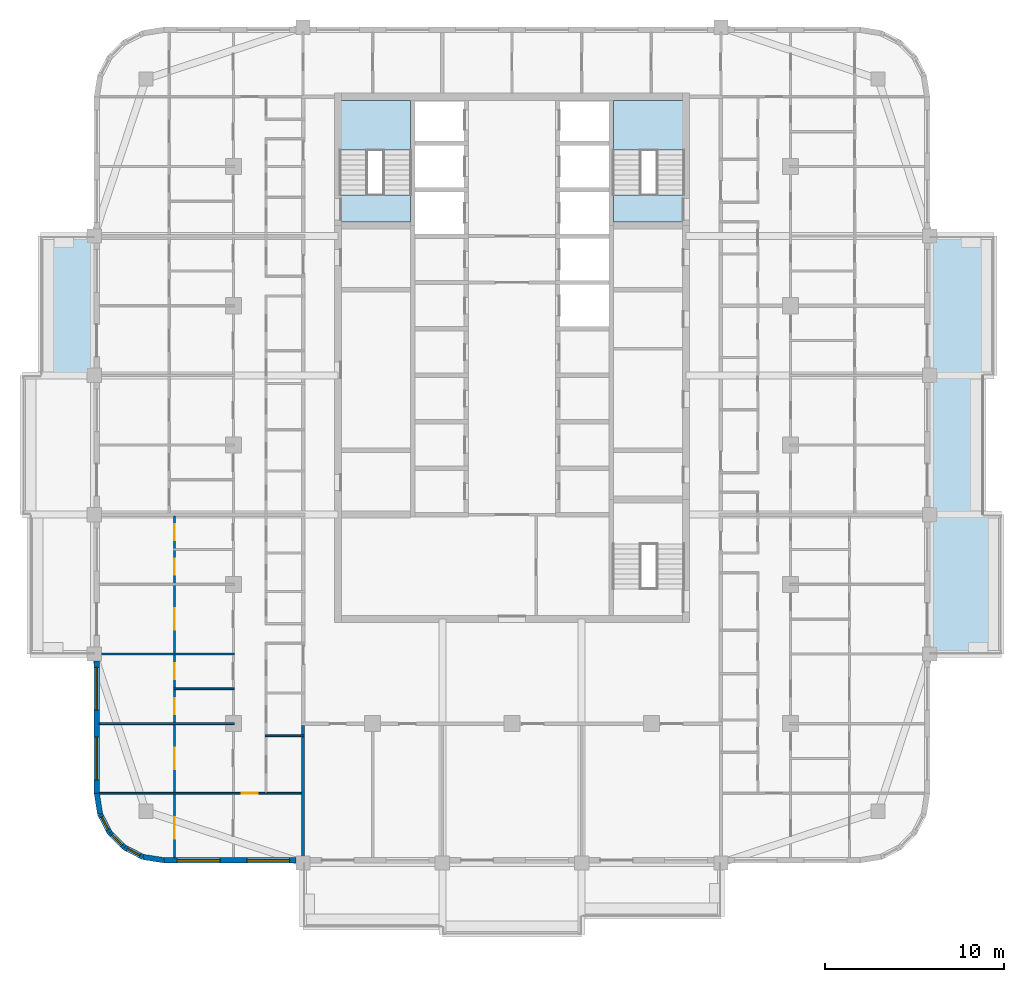
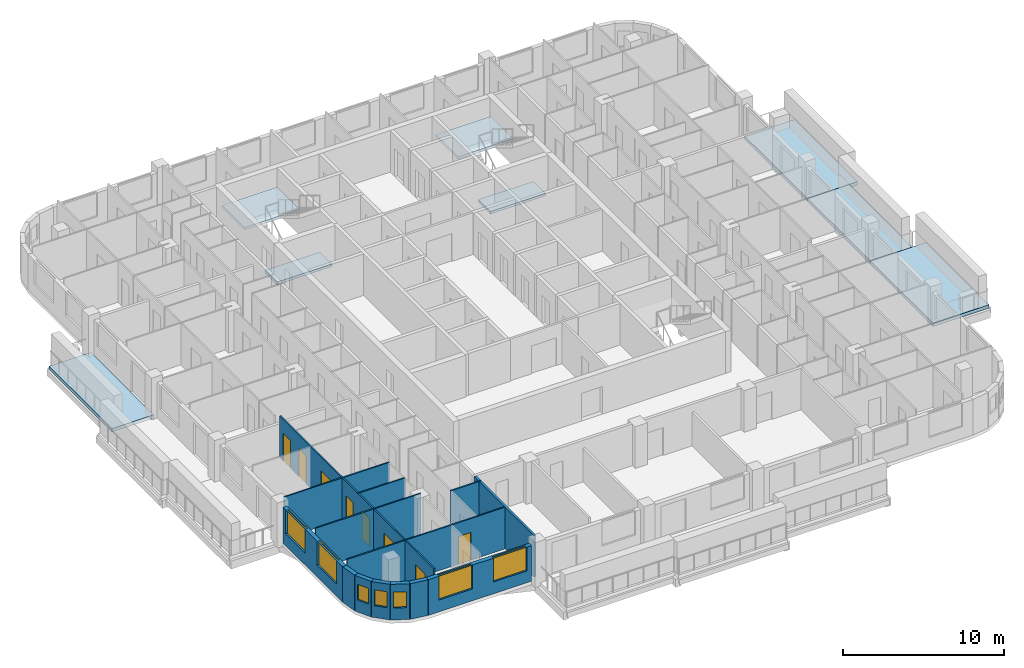
# One storey, part 2 of 16: 14 walls, 8 doors, 8 slabs, 7 windows, 15 openings, 2 elements without a shape of their own.
"""IFC4 building model written with IfcOpenShell, lengths in metres."""

from ifc_helpers import new_model, si_unit, direction, frame, frame_2d, origin, place, context, subcontext, project, spatial, polyline, rectangle, outline, extrude, material, layer, layer_set, type_object, element, fill, aggregate, save


model = new_model("IFC4")

# Units and contexts
model_context = context("Model", 3, precision=1e-05, world=origin(), true_north=direction((0.0, 1.0)))
body_context = subcontext(model_context, "Body", "Model", "MODEL_VIEW")
ifc_project = project(units=[si_unit("LENGTHUNIT", "METRE"), si_unit("AREAUNIT", "SQUARE_METRE"), si_unit("VOLUMEUNIT", "CUBIC_METRE"), si_unit("PLANEANGLEUNIT", "RADIAN"), si_unit("MASSUNIT", "GRAM", prefix="KILO")], contexts=[model_context])

# Site, building, storey
site_placement = place(None, origin())
site = spatial("IfcSite", under=ifc_project, at=site_placement, CompositionType="ELEMENT")
building_placement = place(site_placement, origin())
building = spatial("IfcBuilding", under=site, at=building_placement, Name="Ludao Terraces", CompositionType="ELEMENT")
storey_placement = place(building_placement, frame((0.0, 0.0, 207.5)))
storey = spatial("IfcBuildingStorey", under=building, at=storey_placement, Name="L56", CompositionType="ELEMENT", Elevation=207.5)

# Slabs
ifc_material_1 = material(Name="Concrete C40", Category="concrete")
ifc_layer_1 = layer(ifc_material_1, 0.25)
ifc_layer_set_1 = layer_set([ifc_layer_1], Name="Balcony slab 250 C40")
slab_type_1 = type_object("IfcSlabType", Name="Balcony slab 250 C40", PredefinedType="USERDEFINED", material=ifc_layer_set_1)
slab_1_placement = place(storey_placement, frame((0.0, 0.0, -0.25)))
element("IfcSlab", 1, at=slab_1_placement, inside=storey, type_object=slab_type_1, Name="Balcony L56 E1", ObjectType="BALCONY", PredefinedType="USERDEFINED", context=body_context, shape_type="SweptSolid", body=[
    extrude(outline(polyline([(108.39990234375, 53.300048828125), (112.39990234375, 53.300048828125), (112.39990234375, 61.10009765625), (108.39990234375, 61.10009765625), (108.39990234375, 53.300048828125)])), origin(), (0.0, 0.0, 1.0), 0.25),
])
slab_2_placement = place(storey_placement, frame((0.0, 0.0, -0.25)))
element("IfcSlab", 2, at=slab_2_placement, inside=storey, type_object=slab_type_1, Name="Balcony L56 E2", ObjectType="BALCONY", PredefinedType="USERDEFINED", context=body_context, shape_type="SweptSolid", body=[
    extrude(outline(polyline([(108.39990234375, 61.10009765625), (111.39990234375, 61.10009765625), (111.39990234375, 68.89990234375), (108.39990234375, 68.89990234375), (108.39990234375, 61.10009765625)])), origin(), (0.0, 0.0, 1.0), 0.25),
])
slab_3_placement = place(storey_placement, frame((0.0, 0.0, -0.25)))
element("IfcSlab", 3, at=slab_3_placement, inside=storey, type_object=slab_type_1, Name="Balcony L56 E3", ObjectType="BALCONY", PredefinedType="USERDEFINED", context=body_context, shape_type="SweptSolid", body=[
    extrude(outline(polyline([(108.39990234375, 68.89990234375), (112.0, 68.89990234375), (112.0, 76.699951171875), (108.39990234375, 76.699951171875), (108.39990234375, 68.89990234375)])), origin(), (0.0, 0.0, 1.0), 0.25),
])
slab_4_placement = place(storey_placement, frame((0.0, 0.0, -0.25)))
element("IfcSlab", 4, at=slab_4_placement, inside=storey, type_object=slab_type_1, Name="Balcony L56 W3", ObjectType="BALCONY", PredefinedType="USERDEFINED", context=body_context, shape_type="SweptSolid", body=[
    extrude(outline(polyline([(58.60009765625, 68.89990234375), (61.60009765625, 68.89990234375), (61.60009765625, 76.699951171875), (58.60009765625, 76.699951171875), (58.60009765625, 68.89990234375)])), origin(), (0.0, 0.0, 1.0), 0.25),
])

# Stair, slabs
stair_type = type_object("IfcStairType", Name="INT Stair", PredefinedType="HALF_TURN_STAIR", material=ifc_material_1)
stair_1_placement = place(storey_placement, origin())
stair_1 = element("IfcStair", 5, at=stair_1_placement, inside=storey, type_object=stair_type, Name="EXIT STAIR 1", PredefinedType="HALF_TURN_STAIR")
ifc_layer_2 = layer(ifc_material_1, 0.199951171875)
ifc_layer_set_2 = layer_set([ifc_layer_2], Name="INT Stair landing 200")
slab_type_2 = type_object("IfcSlabType", Name="INT Stair landing 200", PredefinedType="LANDING", material=ifc_layer_set_2)
slab_5_placement = place(storey_placement, frame((0.0, 0.0, 1.5)))
slab_5 = element("IfcSlab", 6, at=slab_5_placement, type_object=slab_type_2, Name="ST1 landing 1", PredefinedType="LANDING", context=body_context, shape_type="SweptSolid", body=[
    extrude(outline(polyline([(75.375, 81.52001953125), (79.324951171875, 81.52001953125), (79.324951171875, 84.300048828125), (75.375, 84.300048828125), (75.375, 81.52001953125)])), origin(), (0.0, 0.0, 1.0), 0.199951171875),
])
slab_6_placement = place(storey_placement, frame((0.0, 0.0, -0.199951171875)))
slab_6 = element("IfcSlab", 7, at=slab_6_placement, type_object=slab_type_2, Name="ST1 landing 2", PredefinedType="LANDING", context=body_context, shape_type="SweptSolid", body=[
    extrude(outline(polyline([(75.375, 77.5), (79.324951171875, 77.5), (79.324951171875, 79.0), (75.375, 79.0), (75.375, 77.5)])), origin(), (0.0, 0.0, 1.0), 0.199951171875),
])
aggregate(stair_1, [slab_5, slab_6])

stair_2_placement = place(storey_placement, origin())
stair_2 = element("IfcStair", 8, at=stair_2_placement, inside=storey, type_object=stair_type, Name="EXIT STAIR 2", PredefinedType="HALF_TURN_STAIR")
slab_7_placement = place(storey_placement, frame((0.0, 0.0, 1.5)))
slab_7 = element("IfcSlab", 9, at=slab_7_placement, type_object=slab_type_2, Name="ST2 landing 1", PredefinedType="LANDING", context=body_context, shape_type="SweptSolid", body=[
    extrude(outline(polyline([(90.675048828125, 81.52001953125), (94.625, 81.52001953125), (94.625, 84.300048828125), (90.675048828125, 84.300048828125), (90.675048828125, 81.52001953125)])), origin(), (0.0, 0.0, 1.0), 0.199951171875),
])
slab_8_placement = place(storey_placement, frame((0.0, 0.0, -0.199951171875)))
slab_8 = element("IfcSlab", 10, at=slab_8_placement, type_object=slab_type_2, Name="ST2 landing 2", PredefinedType="LANDING", context=body_context, shape_type="SweptSolid", body=[
    extrude(outline(polyline([(90.675048828125, 77.5), (94.625, 77.5), (94.625, 79.0), (90.675048828125, 79.0), (90.675048828125, 77.5)])), origin(), (0.0, 0.0, 1.0), 0.199951171875),
])
aggregate(stair_2, [slab_7, slab_8])

# Wall, openings, windows
ifc_material_2 = material(Name="Granite cladding", Category="masonry")
ifc_layer_3 = layer(ifc_material_2, 0.0400390625, Category="stone")
ifc_material_3 = material(Name="Mineral wool")
ifc_layer_4 = layer(ifc_material_3, 0.06005859375)
ifc_layer_5 = layer(ifc_material_1, 0.199951171875, Category="concrete")
ifc_layer_set_3 = layer_set([ifc_layer_3, ifc_layer_4, ifc_layer_5], Name="ENV Stone-clad wall 300")
wall_type_1 = type_object("IfcWallType", Name="ENV Stone-clad wall 300", PredefinedType="SOLIDWALL", material=ifc_layer_set_3)
wall_1_placement = place(storey_placement, frame((65.5, 41.75, 0.0), z_axis=(0.0, 0.0, 1.0), x_axis=(1.0, 0.0, 0.0)))
wall_1 = element("IfcWall", 11, at=wall_1_placement, inside=storey, type_object=wall_type_1, Name="EW-L56-S1", PredefinedType="SOLIDWALL", context=body_context, shape_type="SweptSolid", body=[
    extrude(rectangle(XDim=7.39990234375, YDim=0.300048828125, at=frame_2d((3.699951171875, 0.0))), origin(), (0.0, 0.0, 1.0), 2.699951171875),
])
opening_1_placement = place(wall_1_placement, frame((0.75, 0.0, 0.89990234375)))
opening_1 = element("IfcOpeningElement", 12, at=opening_1_placement, cuts=wall_1, Name="Opening W1", PredefinedType="OPENING", context=body_context, shape_type="SweptSolid", body=[
    extrude(rectangle(XDim=2.39990234375, YDim=1.800048828125, at=frame_2d((1.199951171875, 0.89990234375))), frame((0.0, 0.16015625, 0.0), z_axis=(0.0, -1.0, 0.0), x_axis=(1.0, 0.0, 0.0)), (0.0, 0.0, 1.0), 0.320068359375),
])
opening_2_placement = place(wall_1_placement, frame((4.64990234375, 0.0, 0.89990234375)))
opening_2 = element("IfcOpeningElement", 13, at=opening_2_placement, cuts=wall_1, Name="Opening W1", PredefinedType="OPENING", context=body_context, shape_type="SweptSolid", body=[
    extrude(rectangle(XDim=2.39990234375, YDim=1.800048828125, at=frame_2d((1.199951171875, 0.89990234375))), frame((0.0, 0.16015625, 0.0), z_axis=(0.0, -1.0, 0.0), x_axis=(1.0, 0.0, 0.0)), (0.0, 0.0, 1.0), 0.320068359375),
])
ifc_material_4 = material(Name="Clear glass in aluminium frame", Category="aluminium")
ifc_layer_6 = layer(ifc_material_4, 0.06005859375)
ifc_layer_set_4 = layer_set([ifc_layer_6], Name="ENV Window W1 2400x1800")
window_type_1 = type_object("IfcWindowType", Name="ENV Window W1 2400x1800", PartitioningType="DOUBLE_PANEL_VERTICAL", PredefinedType="WINDOW", material=ifc_layer_set_4)
window_1_placement = place(opening_1_placement, origin())
window_1 = element("IfcWindow", 14, at=window_1_placement, inside=storey, type_object=window_type_1, Name="W-L56-S1-1", OverallHeight=1.800048828125, OverallWidth=2.39990234375, PartitioningType="DOUBLE_PANEL_VERTICAL", PredefinedType="WINDOW", context=body_context, shape_type="SweptSolid", body=[
    extrude(rectangle(XDim=2.39990234375, YDim=1.800048828125, at=frame_2d((1.199951171875, 0.89990234375))), frame((0.0, 0.030029296875, 0.0), z_axis=(0.0, -1.0, 0.0), x_axis=(1.0, 0.0, 0.0)), (0.0, 0.0, 1.0), 0.06005859375),
])
fill(opening_1, window_1)
window_2_placement = place(opening_2_placement, origin())
window_2 = element("IfcWindow", 15, at=window_2_placement, inside=storey, type_object=window_type_1, Name="W-L56-S1-2", OverallHeight=1.800048828125, OverallWidth=2.39990234375, PartitioningType="DOUBLE_PANEL_VERTICAL", PredefinedType="WINDOW", context=body_context, shape_type="SweptSolid", body=[
    extrude(rectangle(XDim=2.39990234375, YDim=1.800048828125, at=frame_2d((1.199951171875, 0.89990234375))), frame((0.0, 0.030029296875, 0.0), z_axis=(0.0, -1.0, 0.0), x_axis=(1.0, 0.0, 0.0)), (0.0, 0.0, 1.0), 0.06005859375),
])
fill(opening_2, window_2)

wall_2_placement = place(storey_placement, frame((61.75, 45.5, 0.0), z_axis=(0.0, 0.0, 1.0), x_axis=(0.0, 1.0, 0.0)))
wall_2 = element("IfcWall", 16, at=wall_2_placement, inside=storey, type_object=wall_type_1, Name="EW-L56-W1", PredefinedType="SOLIDWALL", context=body_context, shape_type="SweptSolid", body=[
    extrude(rectangle(XDim=7.39990234375, YDim=0.300048828125, at=frame_2d((3.699951171875, 0.0))), origin(), (0.0, 0.0, 1.0), 2.699951171875),
])
opening_3_placement = place(wall_2_placement, frame((0.75, 0.0, 0.89990234375)))
opening_3 = element("IfcOpeningElement", 17, at=opening_3_placement, cuts=wall_2, Name="Opening W1", PredefinedType="OPENING", context=body_context, shape_type="SweptSolid", body=[
    extrude(rectangle(XDim=2.39990234375, YDim=1.800048828125, at=frame_2d((1.199951171875, 0.89990234375))), frame((0.0, 0.16015625, 0.0), z_axis=(0.0, -1.0, 0.0), x_axis=(1.0, 0.0, 0.0)), (0.0, 0.0, 1.0), 0.320068359375),
])
opening_4_placement = place(wall_2_placement, frame((4.64990234375, 0.0, 0.89990234375)))
opening_4 = element("IfcOpeningElement", 18, at=opening_4_placement, cuts=wall_2, Name="Opening W1", PredefinedType="OPENING", context=body_context, shape_type="SweptSolid", body=[
    extrude(rectangle(XDim=2.39990234375, YDim=1.800048828125, at=frame_2d((1.199951171875, 0.89990234375))), frame((0.0, 0.16015625, 0.0), z_axis=(0.0, -1.0, 0.0), x_axis=(1.0, 0.0, 0.0)), (0.0, 0.0, 1.0), 0.320068359375),
])
window_3_placement = place(opening_3_placement, origin())
window_3 = element("IfcWindow", 19, at=window_3_placement, inside=storey, type_object=window_type_1, Name="W-L56-W1-1", OverallHeight=1.800048828125, OverallWidth=2.39990234375, PartitioningType="DOUBLE_PANEL_VERTICAL", PredefinedType="WINDOW", context=body_context, shape_type="SweptSolid", body=[
    extrude(rectangle(XDim=2.39990234375, YDim=1.800048828125, at=frame_2d((1.199951171875, 0.89990234375))), frame((0.0, 0.030029296875, 0.0), z_axis=(0.0, -1.0, 0.0), x_axis=(1.0, 0.0, 0.0)), (0.0, 0.0, 1.0), 0.06005859375),
])
fill(opening_3, window_3)
window_4_placement = place(opening_4_placement, origin())
window_4 = element("IfcWindow", 20, at=window_4_placement, inside=storey, type_object=window_type_1, Name="W-L56-W1-2", OverallHeight=1.800048828125, OverallWidth=2.39990234375, PartitioningType="DOUBLE_PANEL_VERTICAL", PredefinedType="WINDOW", context=body_context, shape_type="SweptSolid", body=[
    extrude(rectangle(XDim=2.39990234375, YDim=1.800048828125, at=frame_2d((1.199951171875, 0.89990234375))), frame((0.0, 0.030029296875, 0.0), z_axis=(0.0, -1.0, 0.0), x_axis=(1.0, 0.0, 0.0)), (0.0, 0.0, 1.0), 0.06005859375),
])
fill(opening_4, window_4)

# Wall
wall_3_placement = place(storey_placement, frame((61.75, 45.5, 0.0), z_axis=(0.0, 0.0, 1.0), x_axis=(0.156496880861, -0.987678452879, 0.0)))
element("IfcWall", 21, at=wall_3_placement, inside=storey, type_object=wall_type_1, Name="EW-L56-SW1", PredefinedType="SOLIDWALL", context=body_context, shape_type="SweptSolid", body=[
    extrude(rectangle(XDim=1.173095703125, YDim=0.300048828125, at=frame_2d((0.58642578125, 0.0))), origin(), (0.0, 0.0, 1.0), 2.699951171875),
])

# Wall, opening, window
wall_4_placement = place(storey_placement, frame((61.93359375, 44.34130859375, 0.0), z_axis=(0.0, 0.0, 1.0), x_axis=(0.454025524128, -0.890988677504, 0.0)))
wall_4 = element("IfcWall", 22, at=wall_4_placement, inside=storey, type_object=wall_type_1, Name="EW-L56-SW2", PredefinedType="SOLIDWALL", context=body_context, shape_type="SweptSolid", body=[
    extrude(rectangle(XDim=1.17333984375, YDim=0.300048828125, at=frame_2d((0.586669921875, 0.0))), origin(), (0.0, 0.0, 1.0), 2.699951171875),
])
opening_5_placement = place(wall_4_placement, frame((0.1865234375, 0.0, 0.89990234375)))
opening_5 = element("IfcOpeningElement", 23, at=opening_5_placement, cuts=wall_4, Name="Opening W3", PredefinedType="OPENING", context=body_context, shape_type="SweptSolid", body=[
    extrude(rectangle(XDim=0.800048828125, YDim=1.199951171875, at=frame_2d((0.39990234375, 0.60009765625))), frame((0.0, 0.16015625, 0.0), z_axis=(0.0, -1.0, 0.0), x_axis=(1.0, 0.0, 0.0)), (0.0, 0.0, 1.0), 0.320068359375),
])
ifc_layer_7 = layer(ifc_material_4, 0.06005859375)
ifc_layer_set_5 = layer_set([ifc_layer_7], Name="ENV Window W3 800x1200")
window_type_2 = type_object("IfcWindowType", Name="ENV Window W3 800x1200", PartitioningType="SINGLE_PANEL", PredefinedType="WINDOW", material=ifc_layer_set_5)
window_5_placement = place(opening_5_placement, origin())
window_5 = element("IfcWindow", 24, at=window_5_placement, inside=storey, type_object=window_type_2, Name="W-L56-SW2", OverallHeight=1.199951171875, OverallWidth=0.800048828125, PartitioningType="SINGLE_PANEL", PredefinedType="WINDOW", context=body_context, shape_type="SweptSolid", body=[
    extrude(rectangle(XDim=0.800048828125, YDim=1.199951171875, at=frame_2d((0.39990234375, 0.60009765625))), frame((0.0, 0.030029296875, 0.0), z_axis=(0.0, -1.0, 0.0), x_axis=(1.0, 0.0, 0.0)), (0.0, 0.0, 1.0), 0.06005859375),
])
fill(opening_5, window_5)

wall_5_placement = place(storey_placement, frame((62.46630859375, 43.2958984375, 0.0), z_axis=(0.0, 0.0, 1.0), x_axis=(0.707106781187, -0.707106781187, 0.0)))
wall_5 = element("IfcWall", 25, at=wall_5_placement, inside=storey, type_object=wall_type_1, Name="EW-L56-SW3", PredefinedType="SOLIDWALL", context=body_context, shape_type="SweptSolid", body=[
    extrude(rectangle(XDim=1.173095703125, YDim=0.300048828125, at=frame_2d((0.58642578125, 0.0))), origin(), (0.0, 0.0, 1.0), 2.699951171875),
])
opening_6_placement = place(wall_5_placement, frame((0.1865234375, 0.0, 0.89990234375)))
opening_6 = element("IfcOpeningElement", 26, at=opening_6_placement, cuts=wall_5, Name="Opening W3", PredefinedType="OPENING", context=body_context, shape_type="SweptSolid", body=[
    extrude(rectangle(XDim=0.800048828125, YDim=1.199951171875, at=frame_2d((0.39990234375, 0.60009765625))), frame((0.0, 0.16015625, 0.0), z_axis=(0.0, -1.0, 0.0), x_axis=(1.0, 0.0, 0.0)), (0.0, 0.0, 1.0), 0.320068359375),
])
window_6_placement = place(opening_6_placement, origin())
window_6 = element("IfcWindow", 27, at=window_6_placement, inside=storey, type_object=window_type_2, Name="W-L56-SW3", OverallHeight=1.199951171875, OverallWidth=0.800048828125, PartitioningType="SINGLE_PANEL", PredefinedType="WINDOW", context=body_context, shape_type="SweptSolid", body=[
    extrude(rectangle(XDim=0.800048828125, YDim=1.199951171875, at=frame_2d((0.39990234375, 0.60009765625))), frame((0.0, 0.030029296875, 0.0), z_axis=(0.0, -1.0, 0.0), x_axis=(1.0, 0.0, 0.0)), (0.0, 0.0, 1.0), 0.06005859375),
])
fill(opening_6, window_6)

wall_6_placement = place(storey_placement, frame((63.2958984375, 42.46630859375, 0.0), z_axis=(0.0, 0.0, 1.0), x_axis=(0.890988677504, -0.454025524128, 0.0)))
wall_6 = element("IfcWall", 28, at=wall_6_placement, inside=storey, type_object=wall_type_1, Name="EW-L56-SW4", PredefinedType="SOLIDWALL", context=body_context, shape_type="SweptSolid", body=[
    extrude(rectangle(XDim=1.17333984375, YDim=0.300048828125, at=frame_2d((0.586669921875, 0.0))), origin(), (0.0, 0.0, 1.0), 2.699951171875),
])
opening_7_placement = place(wall_6_placement, frame((0.1865234375, 0.0, 0.89990234375)))
opening_7 = element("IfcOpeningElement", 29, at=opening_7_placement, cuts=wall_6, Name="Opening W3", PredefinedType="OPENING", context=body_context, shape_type="SweptSolid", body=[
    extrude(rectangle(XDim=0.800048828125, YDim=1.199951171875, at=frame_2d((0.39990234375, 0.60009765625))), frame((0.0, 0.16015625, 0.0), z_axis=(0.0, -1.0, 0.0), x_axis=(1.0, 0.0, 0.0)), (0.0, 0.0, 1.0), 0.320068359375),
])
window_7_placement = place(opening_7_placement, origin())
window_7 = element("IfcWindow", 30, at=window_7_placement, inside=storey, type_object=window_type_2, Name="W-L56-SW4", OverallHeight=1.199951171875, OverallWidth=0.800048828125, PartitioningType="SINGLE_PANEL", PredefinedType="WINDOW", context=body_context, shape_type="SweptSolid", body=[
    extrude(rectangle(XDim=0.800048828125, YDim=1.199951171875, at=frame_2d((0.39990234375, 0.60009765625))), frame((0.0, 0.030029296875, 0.0), z_axis=(0.0, -1.0, 0.0), x_axis=(1.0, 0.0, 0.0)), (0.0, 0.0, 1.0), 0.06005859375),
])
fill(opening_7, window_7)

# Wall
wall_7_placement = place(storey_placement, frame((64.34130859375, 41.93359375, 0.0), z_axis=(0.0, 0.0, 1.0), x_axis=(0.987678452879, -0.156496880861, 0.0)))
element("IfcWall", 31, at=wall_7_placement, inside=storey, type_object=wall_type_1, Name="EW-L56-SW5", PredefinedType="SOLIDWALL", context=body_context, shape_type="SweptSolid", body=[
    extrude(rectangle(XDim=1.173095703125, YDim=0.300048828125, at=frame_2d((0.58642578125, 0.0))), origin(), (0.0, 0.0, 1.0), 2.699951171875),
])

# Wall, opening, door
ifc_material_5 = material(Name="Gypsum plasterboard", Category="gypsum")
ifc_layer_8 = layer(ifc_material_5, 0.012451171875, Category="gypsum")
ifc_layer_9 = layer(ifc_material_3, 0.06005859375, Name="insulation")
ifc_material_6 = material(Name="Steel Q235", Category="steel")
ifc_layer_10 = layer(ifc_material_6, 0.014892578125, Name="stud")
ifc_layer_11 = layer(ifc_material_5, 0.012451171875, Category="gypsum")
ifc_layer_set_6 = layer_set([ifc_layer_8, ifc_layer_9, ifc_layer_10, ifc_layer_11], Name="INT Partition 100")
wall_type_2 = type_object("IfcWallType", Name="INT Partition 100", PredefinedType="PARTITIONING", material=ifc_layer_set_6)
wall_8_placement = place(storey_placement, frame((61.900146484375, 45.5, 0.0), z_axis=(0.0, 0.0, 1.0), x_axis=(1.0, 0.0, 0.0)))
wall_8 = element("IfcWall", 32, at=wall_8_placement, inside=storey, type_object=wall_type_2, Name="PW-L56-PW000", PredefinedType="PARTITIONING", context=body_context, shape_type="SweptSolid", body=[
    extrude(rectangle(XDim=11.474853515625, YDim=0.10009765625, at=frame_2d((5.7373046875, 0.0))), origin(), (0.0, 0.0, 1.0), 3.14990234375),
])
opening_8_placement = place(wall_8_placement, frame((7.965087890625, 0.0, 0.0)))
opening_8 = element("IfcOpeningElement", 33, at=opening_8_placement, cuts=wall_8, Name="Opening R20-005", PredefinedType="OPENING", context=body_context, shape_type="SweptSolid", body=[
    extrude(rectangle(XDim=0.89990234375, YDim=2.10009765625, at=frame_2d((0.449951171875, 1.050048828125))), frame((0.0, 0.06005859375, 0.0), z_axis=(0.0, -1.0, 0.0), x_axis=(1.0, 0.0, 0.0)), (0.0, 0.0, 1.0), 0.1201171875),
])
ifc_material_7 = material(Name="Timber door leaf", Category="wood")
door_type_1 = type_object("IfcDoorType", Name="INT Room door 900", OperationType="SINGLE_SWING_LEFT", PredefinedType="DOOR", material=ifc_material_7)
door_1_placement = place(opening_8_placement, origin())
door_1 = element("IfcDoor", 34, at=door_1_placement, inside=storey, type_object=door_type_1, Name="DOOR 005", OperationType="SINGLE_SWING_LEFT", OverallHeight=2.10009765625, OverallWidth=0.89990234375, PredefinedType="DOOR", context=body_context, shape_type="SweptSolid", body=[
    extrude(rectangle(XDim=0.89990234375, YDim=2.10009765625, at=frame_2d((0.449951171875, 1.050048828125))), frame((0.0, 0.02490234375, 0.0), z_axis=(0.0, -1.0, 0.0), x_axis=(1.0, 0.0, 0.0)), (0.0, 0.0, 1.0), 0.050048828125),
])
fill(opening_8, door_1)

# Walls
wall_9_placement = place(storey_placement, frame((71.18017578125, 48.719970703125, 0.0), z_axis=(0.0, 0.0, 1.0), x_axis=(1.0, 0.0, 0.0)))
element("IfcWall", 35, at=wall_9_placement, inside=storey, type_object=wall_type_2, Name="PW-L56-PW004", PredefinedType="PARTITIONING", context=body_context, shape_type="SweptSolid", body=[
    extrude(rectangle(XDim=2.19482421875, YDim=0.10009765625, at=frame_2d((1.097412109375, 0.0))), origin(), (0.0, 0.0, 1.0), 3.14990234375),
])
wall_10_placement = place(storey_placement, frame((61.900146484375, 49.39990234375, 0.0), z_axis=(0.0, 0.0, 1.0), x_axis=(1.0, 0.0, 0.0)))
element("IfcWall", 36, at=wall_10_placement, inside=storey, type_object=wall_type_2, Name="PW-L56-PW005", PredefinedType="PARTITIONING", context=body_context, shape_type="SweptSolid", body=[
    extrude(rectangle(XDim=7.550048828125, YDim=0.10009765625, at=frame_2d((3.77490234375, 0.0))), origin(), (0.0, 0.0, 1.0), 3.14990234375),
])
wall_11_placement = place(storey_placement, frame((66.050048828125, 51.35009765625, 0.0), z_axis=(0.0, 0.0, 1.0), x_axis=(1.0, 0.0, 0.0)))
element("IfcWall", 37, at=wall_11_placement, inside=storey, type_object=wall_type_2, Name="PW-L56-PW010", PredefinedType="PARTITIONING", context=body_context, shape_type="SweptSolid", body=[
    extrude(rectangle(XDim=3.400146484375, YDim=0.10009765625, at=frame_2d((1.7001953125, 0.0))), origin(), (0.0, 0.0, 1.0), 3.14990234375),
])
wall_12_placement = place(storey_placement, frame((61.900146484375, 53.300048828125, 0.0), z_axis=(0.0, 0.0, 1.0), x_axis=(1.0, 0.0, 0.0)))
element("IfcWall", 38, at=wall_12_placement, inside=storey, type_object=wall_type_2, Name="PW-L56-PW012", PredefinedType="PARTITIONING", context=body_context, shape_type="SweptSolid", body=[
    extrude(rectangle(XDim=7.550048828125, YDim=0.10009765625, at=frame_2d((3.77490234375, 0.0))), origin(), (0.0, 0.0, 1.0), 3.14990234375),
])

# Wall, openings, doors
wall_13_placement = place(storey_placement, frame((66.10009765625, 41.900146484375, 0.0), z_axis=(0.0, 0.0, 1.0), x_axis=(0.0, 1.0, 0.0)))
wall_13 = element("IfcWall", 39, at=wall_13_placement, inside=storey, type_object=wall_type_2, Name="PW-L56-PW071", PredefinedType="PARTITIONING", context=body_context, shape_type="SweptSolid", body=[
    extrude(rectangle(XDim=19.099853515625, YDim=0.10009765625, at=frame_2d((9.5498046875, 0.0))), origin(), (0.0, 0.0, 1.0), 3.14990234375),
])
opening_9_placement = place(wall_13_placement, frame((1.050048828125, 0.0, 0.0)))
opening_9 = element("IfcOpeningElement", 40, at=opening_9_placement, cuts=wall_13, Name="Opening R20-001", PredefinedType="OPENING", context=body_context, shape_type="SweptSolid", body=[
    extrude(rectangle(XDim=1.199951171875, YDim=2.10009765625, at=frame_2d((0.60009765625, 1.050048828125))), frame((0.0, 0.06005859375, 0.0), z_axis=(0.0, -1.0, 0.0), x_axis=(1.0, 0.0, 0.0)), (0.0, 0.0, 1.0), 0.1201171875),
])
opening_10_placement = place(wall_13_placement, frame((4.949951171875, 0.0, 0.0)))
opening_10 = element("IfcOpeningElement", 41, at=opening_10_placement, cuts=wall_13, Name="Opening R20-010", PredefinedType="OPENING", context=body_context, shape_type="SweptSolid", body=[
    extrude(rectangle(XDim=1.199951171875, YDim=2.10009765625, at=frame_2d((0.60009765625, 1.050048828125))), frame((0.0, 0.06005859375, 0.0), z_axis=(0.0, -1.0, 0.0), x_axis=(1.0, 0.0, 0.0)), (0.0, 0.0, 1.0), 0.1201171875),
])
opening_11_placement = place(wall_13_placement, frame((8.02490234375, 0.0, 0.0)))
opening_11 = element("IfcOpeningElement", 42, at=opening_11_placement, cuts=wall_13, Name="Opening R20-020", PredefinedType="OPENING", context=body_context, shape_type="SweptSolid", body=[
    extrude(rectangle(XDim=0.89990234375, YDim=2.10009765625, at=frame_2d((0.449951171875, 1.050048828125))), frame((0.0, 0.06005859375, 0.0), z_axis=(0.0, -1.0, 0.0), x_axis=(1.0, 0.0, 0.0)), (0.0, 0.0, 1.0), 0.1201171875),
])
opening_12_placement = place(wall_13_placement, frame((9.97509765625, 0.0, 0.0)))
opening_12 = element("IfcOpeningElement", 43, at=opening_12_placement, cuts=wall_13, Name="Opening R20-024", PredefinedType="OPENING", context=body_context, shape_type="SweptSolid", body=[
    extrude(rectangle(XDim=0.89990234375, YDim=2.10009765625, at=frame_2d((0.449951171875, 1.050048828125))), frame((0.0, 0.06005859375, 0.0), z_axis=(0.0, -1.0, 0.0), x_axis=(1.0, 0.0, 0.0)), (0.0, 0.0, 1.0), 0.1201171875),
])
opening_13_placement = place(wall_13_placement, frame((12.75, 0.0, 0.0)))
opening_13 = element("IfcOpeningElement", 44, at=opening_13_placement, cuts=wall_13, Name="Opening R20-030", PredefinedType="OPENING", context=body_context, shape_type="SweptSolid", body=[
    extrude(rectangle(XDim=1.199951171875, YDim=2.10009765625, at=frame_2d((0.60009765625, 1.050048828125))), frame((0.0, 0.06005859375, 0.0), z_axis=(0.0, -1.0, 0.0), x_axis=(1.0, 0.0, 0.0)), (0.0, 0.0, 1.0), 0.1201171875),
])
opening_14_placement = place(wall_13_placement, frame((15.824951171875, 0.0, 0.0)))
opening_14 = element("IfcOpeningElement", 45, at=opening_14_placement, cuts=wall_13, Name="Opening R20-040", PredefinedType="OPENING", context=body_context, shape_type="SweptSolid", body=[
    extrude(rectangle(XDim=0.89990234375, YDim=2.10009765625, at=frame_2d((0.449951171875, 1.050048828125))), frame((0.0, 0.06005859375, 0.0), z_axis=(0.0, -1.0, 0.0), x_axis=(1.0, 0.0, 0.0)), (0.0, 0.0, 1.0), 0.1201171875),
])
opening_15_placement = place(wall_13_placement, frame((17.77490234375, 0.0, 0.0)))
opening_15 = element("IfcOpeningElement", 46, at=opening_15_placement, cuts=wall_13, Name="Opening R20-045", PredefinedType="OPENING", context=body_context, shape_type="SweptSolid", body=[
    extrude(rectangle(XDim=0.89990234375, YDim=2.10009765625, at=frame_2d((0.449951171875, 1.050048828125))), frame((0.0, 0.06005859375, 0.0), z_axis=(0.0, -1.0, 0.0), x_axis=(1.0, 0.0, 0.0)), (0.0, 0.0, 1.0), 0.1201171875),
])
door_type_2 = type_object("IfcDoorType", Name="INT Bathroom door 900", OperationType="SINGLE_SWING_LEFT", PredefinedType="DOOR", material=ifc_material_7)
door_2_placement = place(opening_11_placement, origin())
door_2 = element("IfcDoor", 47, at=door_2_placement, inside=storey, type_object=door_type_2, Name="DOOR 020", OperationType="SINGLE_SWING_RIGHT", OverallHeight=2.10009765625, OverallWidth=0.89990234375, PredefinedType="DOOR", context=body_context, shape_type="SweptSolid", body=[
    extrude(rectangle(XDim=0.89990234375, YDim=2.10009765625, at=frame_2d((0.449951171875, 1.050048828125))), frame((0.0, 0.02490234375, 0.0), z_axis=(0.0, -1.0, 0.0), x_axis=(1.0, 0.0, 0.0)), (0.0, 0.0, 1.0), 0.050048828125),
])
fill(opening_11, door_2)
door_3_placement = place(opening_14_placement, origin())
door_3 = element("IfcDoor", 48, at=door_3_placement, inside=storey, type_object=door_type_2, Name="DOOR 040", OperationType="SINGLE_SWING_RIGHT", OverallHeight=2.10009765625, OverallWidth=0.89990234375, PredefinedType="DOOR", context=body_context, shape_type="SweptSolid", body=[
    extrude(rectangle(XDim=0.89990234375, YDim=2.10009765625, at=frame_2d((0.449951171875, 1.050048828125))), frame((0.0, 0.02490234375, 0.0), z_axis=(0.0, -1.0, 0.0), x_axis=(1.0, 0.0, 0.0)), (0.0, 0.0, 1.0), 0.050048828125),
])
fill(opening_14, door_3)
door_type_3 = type_object("IfcDoorType", Name="INT Double door 1200", OperationType="DOUBLE_DOOR_SINGLE_SWING", PredefinedType="DOOR", material=ifc_material_7)
door_4_placement = place(opening_9_placement, origin())
door_4 = element("IfcDoor", 49, at=door_4_placement, inside=storey, type_object=door_type_3, Name="DOOR 001", OperationType="DOUBLE_DOOR_SINGLE_SWING", OverallHeight=2.10009765625, OverallWidth=1.199951171875, PredefinedType="DOOR", context=body_context, shape_type="SweptSolid", body=[
    extrude(rectangle(XDim=1.199951171875, YDim=2.10009765625, at=frame_2d((0.60009765625, 1.050048828125))), frame((0.0, 0.02490234375, 0.0), z_axis=(0.0, -1.0, 0.0), x_axis=(1.0, 0.0, 0.0)), (0.0, 0.0, 1.0), 0.050048828125),
])
fill(opening_9, door_4)
door_5_placement = place(opening_10_placement, origin())
door_5 = element("IfcDoor", 50, at=door_5_placement, inside=storey, type_object=door_type_3, Name="DOOR 010", OperationType="DOUBLE_DOOR_SINGLE_SWING", OverallHeight=2.10009765625, OverallWidth=1.199951171875, PredefinedType="DOOR", context=body_context, shape_type="SweptSolid", body=[
    extrude(rectangle(XDim=1.199951171875, YDim=2.10009765625, at=frame_2d((0.60009765625, 1.050048828125))), frame((0.0, 0.02490234375, 0.0), z_axis=(0.0, -1.0, 0.0), x_axis=(1.0, 0.0, 0.0)), (0.0, 0.0, 1.0), 0.050048828125),
])
fill(opening_10, door_5)
door_6_placement = place(opening_13_placement, origin())
door_6 = element("IfcDoor", 51, at=door_6_placement, inside=storey, type_object=door_type_3, Name="DOOR 030", OperationType="DOUBLE_DOOR_SINGLE_SWING", OverallHeight=2.10009765625, OverallWidth=1.199951171875, PredefinedType="DOOR", context=body_context, shape_type="SweptSolid", body=[
    extrude(rectangle(XDim=1.199951171875, YDim=2.10009765625, at=frame_2d((0.60009765625, 1.050048828125))), frame((0.0, 0.02490234375, 0.0), z_axis=(0.0, -1.0, 0.0), x_axis=(1.0, 0.0, 0.0)), (0.0, 0.0, 1.0), 0.050048828125),
])
fill(opening_13, door_6)
door_7_placement = place(opening_12_placement, origin())
door_7 = element("IfcDoor", 52, at=door_7_placement, inside=storey, type_object=door_type_1, Name="DOOR 024", OperationType="SINGLE_SWING_LEFT", OverallHeight=2.10009765625, OverallWidth=0.89990234375, PredefinedType="DOOR", context=body_context, shape_type="SweptSolid", body=[
    extrude(rectangle(XDim=0.89990234375, YDim=2.10009765625, at=frame_2d((0.449951171875, 1.050048828125))), frame((0.0, 0.02490234375, 0.0), z_axis=(0.0, -1.0, 0.0), x_axis=(1.0, 0.0, 0.0)), (0.0, 0.0, 1.0), 0.050048828125),
])
fill(opening_12, door_7)
door_8_placement = place(opening_15_placement, origin())
door_8 = element("IfcDoor", 53, at=door_8_placement, inside=storey, type_object=door_type_1, Name="DOOR 045", OperationType="SINGLE_SWING_RIGHT", OverallHeight=2.10009765625, OverallWidth=0.89990234375, PredefinedType="DOOR", context=body_context, shape_type="SweptSolid", body=[
    extrude(rectangle(XDim=0.89990234375, YDim=2.10009765625, at=frame_2d((0.449951171875, 1.050048828125))), frame((0.0, 0.02490234375, 0.0), z_axis=(0.0, -1.0, 0.0), x_axis=(1.0, 0.0, 0.0)), (0.0, 0.0, 1.0), 0.050048828125),
])
fill(opening_15, door_8)

# Wall
ifc_material_8 = material(Name="Autoclaved aerated concrete block B06 A3.5", Category="concrete")
ifc_layer_12 = layer(ifc_material_8, 0.14990234375)
ifc_layer_set_7 = layer_set([ifc_layer_12], Name="INT Party wall 150")
wall_type_3 = type_object("IfcWallType", Name="INT Party wall 150", PredefinedType="PARTITIONING", material=ifc_layer_set_7)
wall_14_placement = place(storey_placement, frame((73.300048828125, 41.900146484375, 0.0), z_axis=(0.0, 0.0, 1.0), x_axis=(0.0, 1.0, 0.0)))
element("IfcWall", 54, at=wall_14_placement, inside=storey, type_object=wall_type_3, Name="PW-L56-PW077", PredefinedType="PARTITIONING", context=body_context, shape_type="SweptSolid", body=[
    extrude(rectangle(XDim=7.39990234375, YDim=0.14990234375, at=frame_2d((3.699951171875, 0.0))), origin(), (0.0, 0.0, 1.0), 3.14990234375),
])

save(model, "model.ifc")
